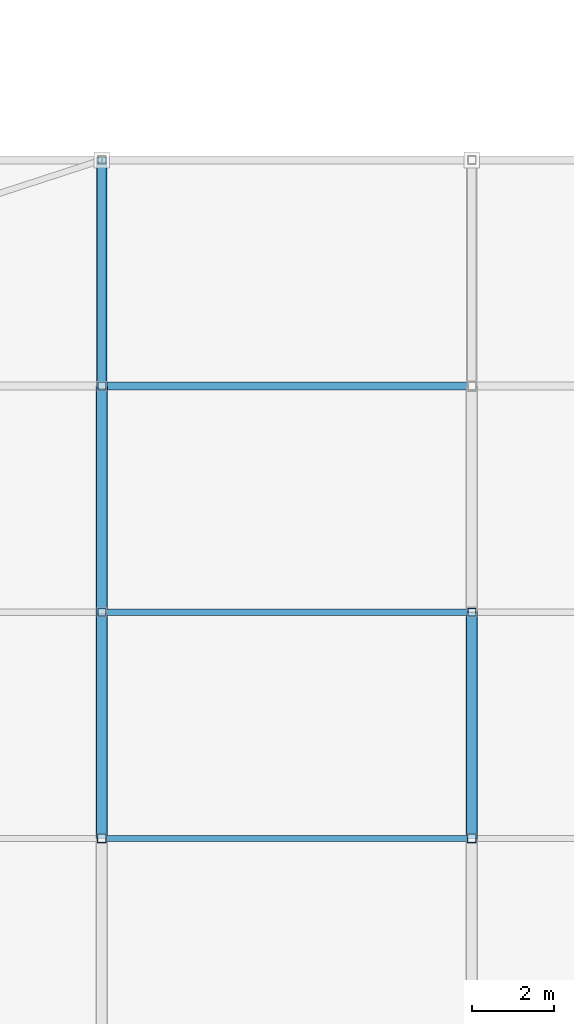
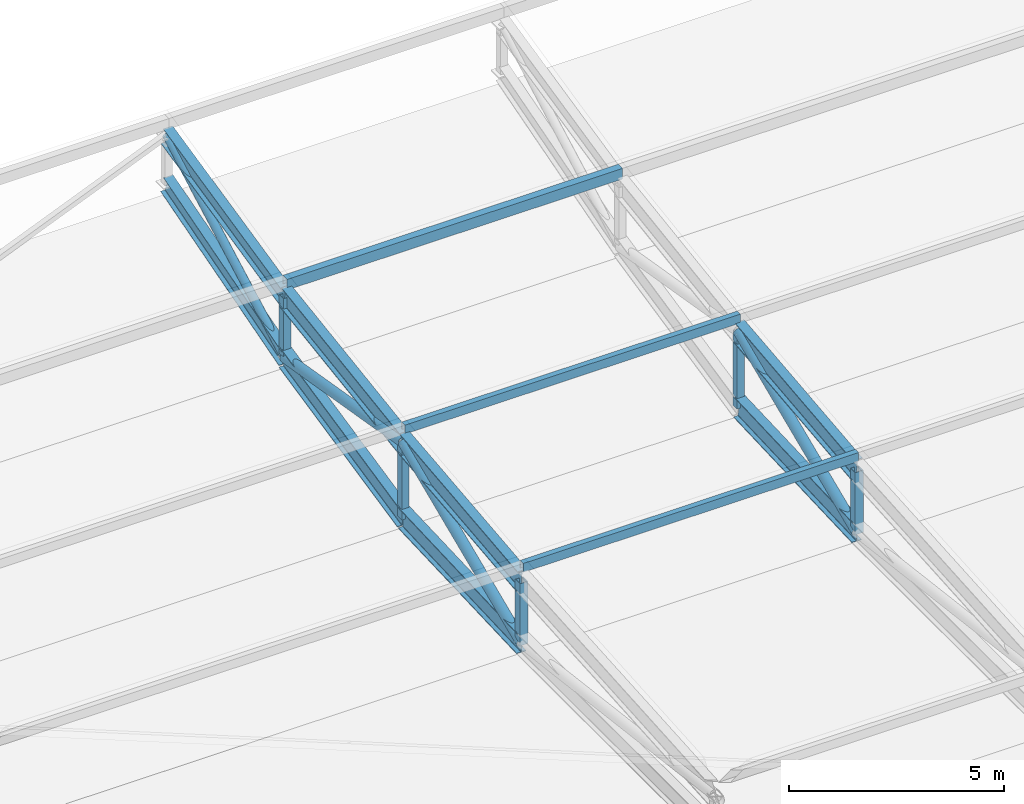
# One storey, part 16 of 114: 12 members, 8 beams.
"""IFC4 building model written with IfcOpenShell, lengths in metres."""

from ifc_helpers import new_model, si_unit, direction, frame, origin, origin_2d, place, context, subcontext, project, spatial, hollow_rectangle, hollow_circle, i_section, extrude, material, material_profile, profile_set, type_object, element, save


model = new_model("IFC4")

# Units and contexts
model_context = context("Model", 3, precision=1e-05, world=origin(), true_north=direction((0.0, 1.0)))
body_context = subcontext(model_context, "Body", "Model", "MODEL_VIEW")
ifc_project = project(units=[si_unit("LENGTHUNIT", "METRE"), si_unit("AREAUNIT", "SQUARE_METRE"), si_unit("VOLUMEUNIT", "CUBIC_METRE"), si_unit("PLANEANGLEUNIT", "RADIAN"), si_unit("MASSUNIT", "GRAM", prefix="KILO"), si_unit("THERMODYNAMICTEMPERATUREUNIT", "KELVIN"), si_unit("POWERUNIT", "WATT")], contexts=[model_context])

# Site, building, storey
site_placement = place(None, origin())
site = spatial("IfcSite", under=ifc_project, at=site_placement, CompositionType="ELEMENT")
building_placement = place(site_placement, origin())
building = spatial("IfcBuilding", under=site, at=building_placement, Name="Sindhuravela Promenade Stadium", CompositionType="ELEMENT")
storey_placement = place(building_placement, frame((0.0, 0.0, 24.0)))
storey = spatial("IfcBuildingStorey", under=building, at=storey_placement, Name="L05", CompositionType="ELEMENT", Elevation=24.0)

# Beams
ifc_material = material(Name="Steel E350 (IS 2062 E350BR)", Category="steel")
ifc_material_profile_1 = material_profile(ifc_material, i_section(OverallWidth=0.25, OverallDepth=0.5, WebThickness=0.010009765625, FlangeThickness=0.0146484375, FilletRadius=0.014892578125, at=origin_2d()), Name="ISWB 500")
ifc_profile_set_1 = profile_set([ifc_material_profile_1], Name="Steel E350 (IS 2062 E350BR)")
beam_type_1 = type_object("IfcBeamType", Name="ST-BM-WB500", PredefinedType="USERDEFINED", material=ifc_profile_set_1)
beam_1_placement = place(storey_placement, frame((72.0, 38.0, 3.169189453125), z_axis=(0.0, 0.9758669805330386, 0.2183658313595103), x_axis=(-1.0, 0.0, 0.0)))
element("IfcBeam", 1, at=beam_1_placement, inside=storey, type_object=beam_type_1, Name="Roof truss RT-S02 top chord 5", ObjectType="ROOF TRUSS", PredefinedType="USERDEFINED", context=body_context, shape_type="SweptSolid", body=[
    extrude(i_section(OverallWidth=0.25, OverallDepth=0.5, WebThickness=0.010009765625, FlangeThickness=0.0146484375, FilletRadius=0.014892578125, at=origin_2d()), origin(), (0.0, 0.0, 1.0), 5.635986328125),
])
beam_2_placement = place(storey_placement, frame((72.0, 38.0, 1.419189453125), z_axis=(0.0, 0.9599274278129861, 0.28024869907342015), x_axis=(-1.0, 0.0, 0.0)))
element("IfcBeam", 2, at=beam_2_placement, inside=storey, type_object=beam_type_1, Name="Roof truss RT-S02 bottom chord 5", ObjectType="ROOF TRUSS", PredefinedType="USERDEFINED", context=body_context, shape_type="SweptSolid", body=[
    extrude(i_section(OverallWidth=0.25, OverallDepth=0.5, WebThickness=0.010009765625, FlangeThickness=0.0146484375, FilletRadius=0.014892578125, at=origin_2d()), origin(), (0.0, 0.0, 1.0), 5.7294921875),
])
ifc_material_profile_2 = material_profile(ifc_material, i_section(OverallWidth=0.25, OverallDepth=0.60009765625, WebThickness=0.01171875, FlangeThickness=0.023681640625, FilletRadius=0.01708984375, at=origin_2d()), Name="ISWB 600")
ifc_profile_set_2 = profile_set([ifc_material_profile_2], Name="Steel E350 (IS 2062 E350BR)")
beam_type_2 = type_object("IfcBeamType", Name="ST-BM-WB600", PredefinedType="USERDEFINED", material=ifc_profile_set_2)
beam_3_placement = place(storey_placement, frame((72.0, 27.0, 1.76318359375), z_axis=(0.0, 0.9943078180575428, 0.1065455909441987), x_axis=(-1.0, 0.0, 0.0)))
element("IfcBeam", 3, at=beam_3_placement, inside=storey, type_object=beam_type_2, Name="Roof truss RT-S02 top chord 3", ObjectType="ROOF TRUSS", PredefinedType="USERDEFINED", context=body_context, shape_type="SweptSolid", body=[
    extrude(i_section(OverallWidth=0.25, OverallDepth=0.60009765625, WebThickness=0.01171875, FlangeThickness=0.023681640625, FilletRadius=0.01708984375, at=origin_2d()), origin(), (0.0, 0.0, 1.0), 5.531494140625),
])
beam_4_placement = place(storey_placement, frame((72.0, 27.0, 0.0), z_axis=(0.0, 0.9991453279387894, 0.04133538022189949), x_axis=(-1.0, 0.0, 0.0)))
element("IfcBeam", 4, at=beam_4_placement, inside=storey, type_object=beam_type_2, Name="Roof truss RT-S02 bottom chord 3", ObjectType="ROOF TRUSS", PredefinedType="USERDEFINED", context=body_context, shape_type="SweptSolid", body=[
    extrude(i_section(OverallWidth=0.25, OverallDepth=0.60009765625, WebThickness=0.01171875, FlangeThickness=0.023681640625, FilletRadius=0.01708984375, at=origin_2d()), origin(), (0.0, 0.0, 1.0), 5.504638671875),
])
beam_5_placement = place(storey_placement, frame((72.0, 32.5, 2.3525390625), z_axis=(0.0, 0.9891555530237203, 0.14687168523012892), x_axis=(-1.0, 0.0, 0.0)))
element("IfcBeam", 5, at=beam_5_placement, inside=storey, type_object=beam_type_2, Name="Roof truss RT-S02 top chord 4", ObjectType="ROOF TRUSS", PredefinedType="USERDEFINED", context=body_context, shape_type="SweptSolid", body=[
    extrude(i_section(OverallWidth=0.25, OverallDepth=0.60009765625, WebThickness=0.01171875, FlangeThickness=0.023681640625, FilletRadius=0.01708984375, at=origin_2d()), origin(), (0.0, 0.0, 1.0), 5.560302734375),
])
beam_6_placement = place(storey_placement, frame((72.0, 32.5, 0.2275390625), z_axis=(0.0, 0.9773237385626684, 0.21175058451368894), x_axis=(-1.0, 0.0, 0.0)))
element("IfcBeam", 6, at=beam_6_placement, inside=storey, type_object=beam_type_2, Name="Roof truss RT-S02 bottom chord 4", ObjectType="ROOF TRUSS", PredefinedType="USERDEFINED", context=body_context, shape_type="SweptSolid", body=[
    extrude(i_section(OverallWidth=0.25, OverallDepth=0.60009765625, WebThickness=0.01171875, FlangeThickness=0.023681640625, FilletRadius=0.01708984375, at=origin_2d()), origin(), (0.0, 0.0, 1.0), 5.627685546875),
])
beam_7_placement = place(storey_placement, frame((81.0, 27.0, 1.76318359375), z_axis=(0.0, 0.9943078180575428, 0.1065455909441987), x_axis=(-1.0, 0.0, 0.0)))
element("IfcBeam", 7, at=beam_7_placement, inside=storey, type_object=beam_type_2, Name="Roof truss RT-S03 top chord 3", ObjectType="ROOF TRUSS", PredefinedType="USERDEFINED", context=body_context, shape_type="SweptSolid", body=[
    extrude(i_section(OverallWidth=0.25, OverallDepth=0.60009765625, WebThickness=0.01171875, FlangeThickness=0.023681640625, FilletRadius=0.01708984375, at=origin_2d()), origin(), (0.0, 0.0, 1.0), 5.531494140625),
])
beam_8_placement = place(storey_placement, frame((81.0, 27.0, 0.0), z_axis=(0.0, 0.9991453279387894, 0.04133538022189949), x_axis=(-1.0, 0.0, 0.0)))
element("IfcBeam", 8, at=beam_8_placement, inside=storey, type_object=beam_type_2, Name="Roof truss RT-S03 bottom chord 3", ObjectType="ROOF TRUSS", PredefinedType="USERDEFINED", context=body_context, shape_type="SweptSolid", body=[
    extrude(i_section(OverallWidth=0.25, OverallDepth=0.60009765625, WebThickness=0.01171875, FlangeThickness=0.023681640625, FilletRadius=0.01708984375, at=origin_2d()), origin(), (0.0, 0.0, 1.0), 5.504638671875),
])

# Members
ifc_material_profile_3 = material_profile(ifc_material, hollow_circle(Radius=0.109619140625, WallThickness=0.010009765625, at=origin_2d()), Name="CHS 219.1x10")
ifc_profile_set_3 = profile_set([ifc_material_profile_3], Name="Steel E350 (IS 2062 E350BR)")
member_type_1 = type_object("IfcMemberType", Name="ST-MB-CHS219", PredefinedType="BRACE", material=ifc_profile_set_3)
member_1_placement = place(storey_placement, frame((72.0, 38.0, 1.419189453125), z_axis=(0.0, 0.8791884339384995, 0.47647423605979855), x_axis=(-1.0, 0.0, 0.0)))
element("IfcMember", 9, at=member_1_placement, inside=storey, type_object=member_type_1, Name="Roof truss RT-S02 diagonal web 5", PredefinedType="BRACE", context=body_context, shape_type="SweptSolid", body=[
    extrude(hollow_circle(Radius=0.109619140625, WallThickness=0.010009765625, at=origin_2d()), origin(), (0.0, 0.0, 1.0), 6.255859375),
])
ifc_material_profile_4 = material_profile(ifc_material, hollow_circle(Radius=0.136474609375, WallThickness=0.010009765625, at=origin_2d()), Name="CHS 273.0x10")
ifc_profile_set_4 = profile_set([ifc_material_profile_4], Name="Steel E350 (IS 2062 E350BR)")
member_type_2 = type_object("IfcMemberType", Name="ST-MB-CHS273", PredefinedType="BRACE", material=ifc_profile_set_4)
member_2_placement = place(storey_placement, frame((72.0, 27.0, 0.0), z_axis=(0.0, 0.9194234507496676, 0.3932690150667524), x_axis=(-1.0, 0.0, 0.0)))
element("IfcMember", 10, at=member_2_placement, inside=storey, type_object=member_type_2, Name="Roof truss RT-S02 diagonal web 3", PredefinedType="BRACE", context=body_context, shape_type="SweptSolid", body=[
    extrude(hollow_circle(Radius=0.136474609375, WallThickness=0.010009765625, at=origin_2d()), origin(), (0.0, 0.0, 1.0), 5.98193359375),
])
member_3_placement = place(storey_placement, frame((72.0, 32.5, 2.3525390625), z_axis=(0.0, 0.9859046851385784, -0.1673079550463772), x_axis=(-1.0, 0.0, 0.0)))
element("IfcMember", 11, at=member_3_placement, inside=storey, type_object=member_type_2, Name="Roof truss RT-S02 diagonal web 4", PredefinedType="BRACE", context=body_context, shape_type="SweptSolid", body=[
    extrude(hollow_circle(Radius=0.136474609375, WallThickness=0.010009765625, at=origin_2d()), origin(), (0.0, 0.0, 1.0), 5.57861328125),
])
member_4_placement = place(storey_placement, frame((81.0, 27.0, 0.0), z_axis=(0.0, 0.9194234507496676, 0.3932690150667524), x_axis=(-1.0, 0.0, 0.0)))
element("IfcMember", 12, at=member_4_placement, inside=storey, type_object=member_type_2, Name="Roof truss RT-S03 diagonal web 3", PredefinedType="BRACE", context=body_context, shape_type="SweptSolid", body=[
    extrude(hollow_circle(Radius=0.136474609375, WallThickness=0.010009765625, at=origin_2d()), origin(), (0.0, 0.0, 1.0), 5.98193359375),
])
ifc_material_profile_5 = material_profile(ifc_material, hollow_rectangle(XDim=0.14990234375, YDim=0.25, WallThickness=0.010009765625, at=origin_2d()), Name="RHS 250x150x10")
ifc_profile_set_5 = profile_set([ifc_material_profile_5], Name="Steel E350 (IS 2062 E350BR)")
member_type_3 = type_object("IfcMemberType", Name="ST-MB-RHS250", PredefinedType="PURLIN", material=ifc_profile_set_5)
for number, where, z_axis, x_axis, name in (
    (13, (72.0, 27.0, 2.1552734375), (1.0, 0.0, 0.0), (0.0, 1.0, 0.0), "Roof purlin PR01 S bay 2.3"),
    (14, (72.0, 32.5, 2.744384765625), (1.0, 0.0, 0.0), (0.0, 1.0, 0.0), "Roof purlin PR01 S bay 2.4"),
):
    element("IfcMember", number, at=place(storey_placement, frame(where, z_axis=z_axis, x_axis=x_axis)), inside=storey, type_object=member_type_3, Name=name, PredefinedType="PURLIN", context=body_context, shape_type="SweptSolid", body=[
        extrude(hollow_rectangle(XDim=0.14990234375, YDim=0.25, WallThickness=0.010009765625, at=origin_2d()), origin(), (0.0, 0.0, 1.0), 9.0),
    ])
ifc_material_profile_6 = material_profile(ifc_material, hollow_rectangle(XDim=0.199951171875, YDim=0.300048828125, WallThickness=0.010009765625, at=origin_2d()), Name="RHS 300x200x10")
ifc_profile_set_6 = profile_set([ifc_material_profile_6], Name="Steel E350 (IS 2062 E350BR)")
member_type_4 = type_object("IfcMemberType", Name="ST-MB-RHS300", PredefinedType="PURLIN", material=ifc_profile_set_6)
member_5_placement = place(storey_placement, frame((72.0, 38.0, 3.5361328125), z_axis=(1.0, 0.0, 0.0), x_axis=(0.0, 1.0, 0.0)))
element("IfcMember", 15, at=member_5_placement, inside=storey, type_object=member_type_4, Name="Roof purlin PR02 S bay 2.5", PredefinedType="PURLIN", context=body_context, shape_type="SweptSolid", body=[
    extrude(hollow_rectangle(XDim=0.199951171875, YDim=0.300048828125, WallThickness=0.010009765625, at=origin_2d()), origin(), (0.0, 0.0, 1.0), 9.0),
])
ifc_material_profile_7 = material_profile(ifc_material, hollow_rectangle(XDim=0.199951171875, YDim=0.199951171875, WallThickness=0.010009765625, at=origin_2d()), Name="SHS 200x200x10")
ifc_profile_set_7 = profile_set([ifc_material_profile_7], Name="Steel E350 (IS 2062 E350BR)")
member_type_5 = type_object("IfcMemberType", Name="ST-MB-SHS200", PredefinedType="POST", material=ifc_profile_set_7)
member_6_placement = place(storey_placement, frame((72.0, 32.5, 0.2275390625), z_axis=(0.0, 0.0, 1.0), x_axis=(1.0, 0.0, 0.0)))
element("IfcMember", 16, at=member_6_placement, inside=storey, type_object=member_type_5, Name="Roof truss RT-S02 vertical post 4", PredefinedType="POST", context=body_context, shape_type="SweptSolid", body=[
    extrude(hollow_rectangle(XDim=0.199951171875, YDim=0.199951171875, WallThickness=0.010009765625, at=origin_2d()), origin(), (0.0, 0.0, 1.0), 2.125),
])
member_7_placement = place(storey_placement, frame((72.0, 38.0, 1.419189453125), z_axis=(0.0, 0.0, 1.0), x_axis=(1.0, 0.0, 0.0)))
element("IfcMember", 17, at=member_7_placement, inside=storey, type_object=member_type_5, Name="Roof truss RT-S02 vertical post 5", PredefinedType="POST", context=body_context, shape_type="SweptSolid", body=[
    extrude(hollow_rectangle(XDim=0.199951171875, YDim=0.199951171875, WallThickness=0.010009765625, at=origin_2d()), origin(), (0.0, 0.0, 1.0), 1.75),
])
member_8_placement = place(storey_placement, frame((81.0, 32.5, 0.2275390625), z_axis=(0.0, 0.0, 1.0), x_axis=(1.0, 0.0, 0.0)))
element("IfcMember", 18, at=member_8_placement, inside=storey, type_object=member_type_5, Name="Roof truss RT-S03 vertical post 4", PredefinedType="POST", context=body_context, shape_type="SweptSolid", body=[
    extrude(hollow_rectangle(XDim=0.199951171875, YDim=0.199951171875, WallThickness=0.010009765625, at=origin_2d()), origin(), (0.0, 0.0, 1.0), 2.125),
])
ifc_material_profile_8 = material_profile(ifc_material, hollow_rectangle(XDim=0.219970703125, YDim=0.219970703125, WallThickness=0.011962890625, at=origin_2d()), Name="SHS 220x220x12")
ifc_profile_set_8 = profile_set([ifc_material_profile_8], Name="Steel E350 (IS 2062 E350BR)")
member_type_6 = type_object("IfcMemberType", Name="ST-MB-SHS220", PredefinedType="POST", material=ifc_profile_set_8)
for number, where, z_axis, x_axis, name in (
    (19, (72.0, 27.0, 0.0), (0.0, 0.0, 1.0), (1.0, 0.0, 0.0), "Roof truss RT-S02 vertical post 3"),
    (20, (81.0, 27.0, 0.0), (0.0, 0.0, 1.0), (1.0, 0.0, 0.0), "Roof truss RT-S03 vertical post 3"),
):
    element("IfcMember", number, at=place(storey_placement, frame(where, z_axis=z_axis, x_axis=x_axis)), inside=storey, type_object=member_type_6, Name=name, PredefinedType="POST", context=body_context, shape_type="SweptSolid", body=[
        extrude(hollow_rectangle(XDim=0.219970703125, YDim=0.219970703125, WallThickness=0.011962890625, at=origin_2d()), origin(), (0.0, 0.0, 1.0), 1.76318359375),
    ])

save(model, "model.ifc")
